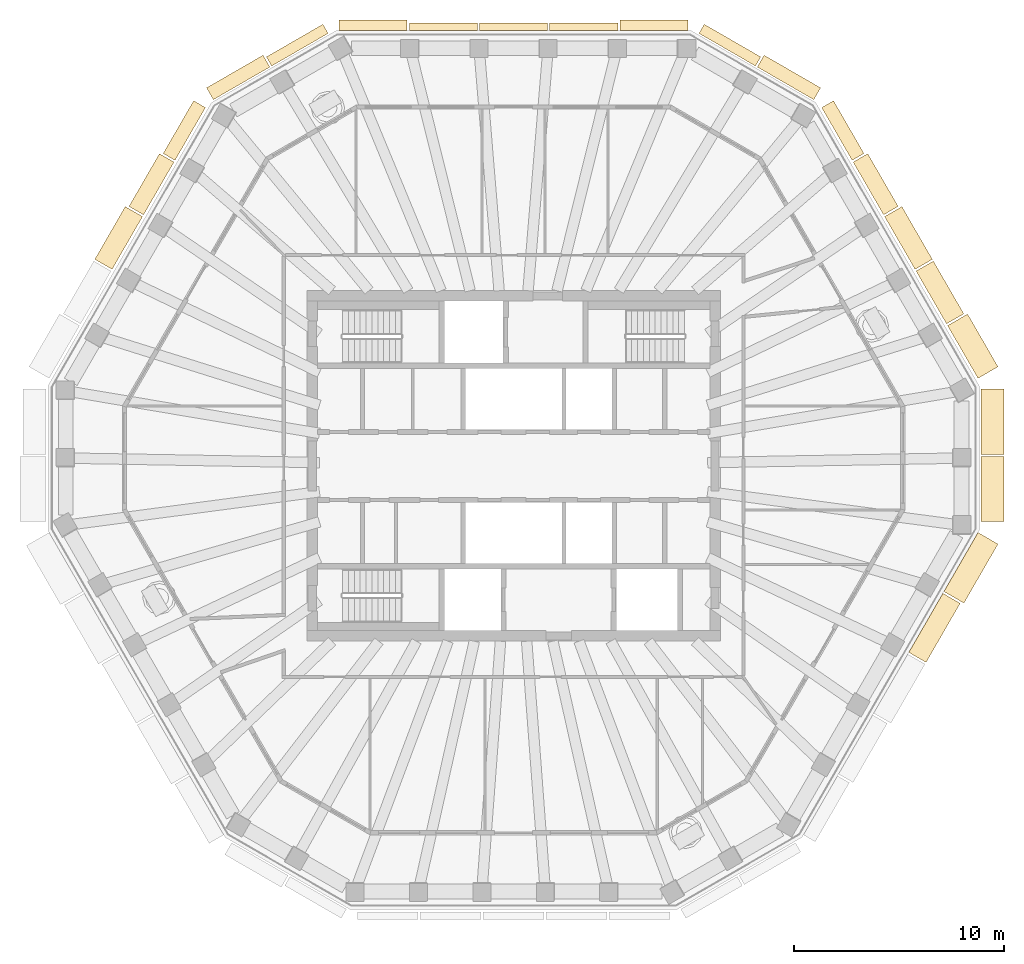
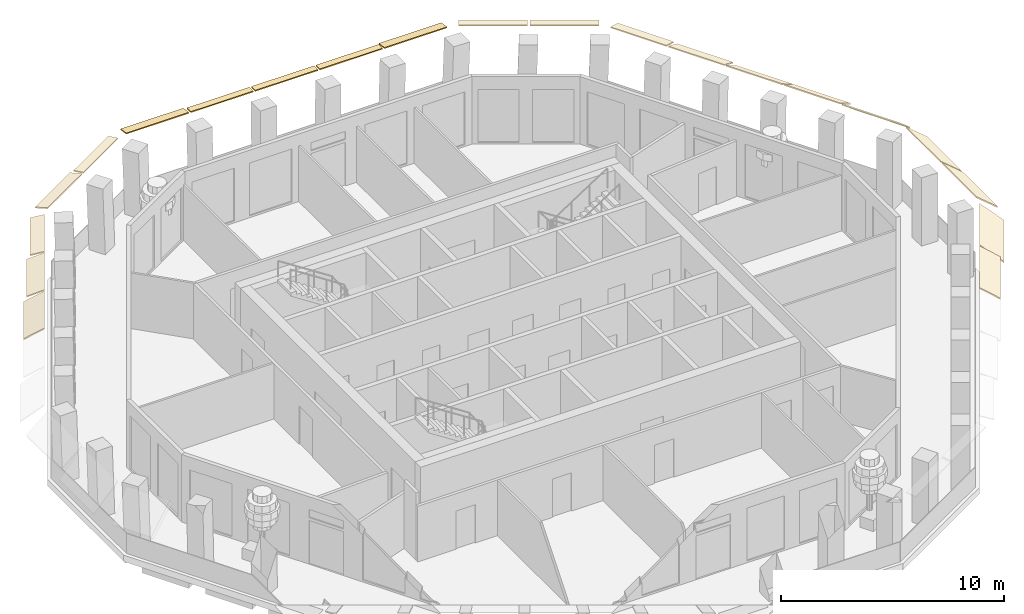
# One storey, part 9 of 11: 21 coverings.
"""IFC4 building model written with IfcOpenShell, lengths in metres."""

import ifcopenshell
import ifcopenshell.guid

model = None  # the IFC model being written
_history = None  # IfcOwnerHistory: only IFC2X3 demands one
_inside = {}  # id of a spatial element -> (the spatial element, [elements in it])
_under = {}  # id of a project, library or spatial element -> (it, [spatial elements below it])
_declared = {}  # id of a project -> (the project, [libraries it declares])
_typed = {}  # id of a type object -> (the type object, [elements of that type])
_made_of = {}  # id of a material, layer set ... -> (it, [elements and type objects made of it])


def new_model(schema):
    """Start an empty IFC model of exactly this schema.

    Asked for "IFC4X3", IfcOpenShell would pick the latest addendum, in which some entities
    have other attributes; the version numbers below select the first issue.
    IFC2X3 requires an IfcOwnerHistory on every rooted entity: one is made here for all.
    """
    global model, _history
    if schema == "IFC4X3":
        model = ifcopenshell.file(schema_version=(4, 3, 0, 0))
    else:
        model = ifcopenshell.file(schema=schema)
    _inside.clear()
    _under.clear()
    _declared.clear()
    _typed.clear()
    _made_of.clear()
    _history = None
    if model.schema == "IFC2X3":
        org = make("IfcOrganization", Name="unknown")
        user = make(
            "IfcPersonAndOrganization",
            ThePerson=make("IfcPerson", FamilyName="unknown"),
            TheOrganization=org,
        )
        app = make(
            "IfcApplication",
            ApplicationDeveloper=org,
            Version="unknown",
            ApplicationFullName="unknown",
            ApplicationIdentifier="unknown",
        )
        _history = make(
            "IfcOwnerHistory",
            OwningUser=user,
            OwningApplication=app,
            ChangeAction="ADDED",
            CreationDate=0,
        )
    return model


def make(cls, **values):
    """One entity of the class cls with the attributes given. An attribute that is None is left unset."""
    return model.create_entity(
        cls, **{name: value for name, value in values.items() if value is not None}
    )


def rooted(cls, **values):
    """An entity with a GlobalId (a new one), such as an element, a storey or a relation."""
    return make(cls, GlobalId=ifcopenshell.guid.new(), OwnerHistory=_history, **values)


def si_unit(unit_type, name, prefix=None):
    """IfcSIUnit, for example si_unit("LENGTHUNIT", "METRE", prefix="MILLI")."""
    return make("IfcSIUnit", UnitType=unit_type, Prefix=prefix, Name=name)


def assignment(units):
    """IfcUnitAssignment: the units of a project."""
    return None if units is None else make("IfcUnitAssignment", Units=units)


def point(xyz):
    """IfcCartesianPoint."""
    return None if xyz is None else make("IfcCartesianPoint", Coordinates=xyz)


def direction(xyz):
    """IfcDirection."""
    return None if xyz is None else make("IfcDirection", DirectionRatios=xyz)


def frame(location, z_axis=None, x_axis=None):
    """IfcAxis2Placement3D, a coordinate frame: its origin and axes. An axis left out is left unset."""
    return make(
        "IfcAxis2Placement3D",
        Location=point(location),
        Axis=direction(z_axis),
        RefDirection=direction(x_axis),
    )


def origin():
    """The frame at (0, 0, 0) with its axes left unset."""
    return frame((0.0, 0.0, 0.0))


def place(relative_to, where):
    """IfcLocalPlacement: puts the frame where relative to a parent placement (None: the world)."""
    return make(
        "IfcLocalPlacement", PlacementRelTo=relative_to, RelativePlacement=where
    )


def context(
    kind, dimensions, precision=None, world=None, true_north=None, identifier=None
):
    """IfcGeometricRepresentationContext, for example the 3D "Model" context."""
    return make(
        "IfcGeometricRepresentationContext",
        ContextIdentifier=identifier,
        ContextType=kind,
        CoordinateSpaceDimension=dimensions,
        Precision=precision,
        WorldCoordinateSystem=world,
        TrueNorth=true_north,
    )


def subcontext(parent, identifier, kind, view, scale=None):
    """IfcGeometricRepresentationSubContext, for example "Body" below "Model"."""
    return make(
        "IfcGeometricRepresentationSubContext",
        ContextIdentifier=identifier,
        ContextType=kind,
        ParentContext=parent,
        TargetScale=scale,
        TargetView=view,
    )


def project(units=None, contexts=None):
    """IfcProject with its units and contexts."""
    return rooted(
        "IfcProject",
        Name="project",
        RepresentationContexts=contexts,
        UnitsInContext=assignment(units),
    )


def spatial(cls, under=None, at=None, **own):
    """A site, building, storey or space (cls), placed at a placement, below another one or the project."""
    s = rooted(cls, ObjectPlacement=at, **own)
    if under is not None:
        _under.setdefault(under.id(), (under, []))[1].append(s)
    return s


def polyline(points):
    """IfcPolyline through the points."""
    return make("IfcPolyline", Points=[point(p) for p in points])


def outline(outer, holes=None, kind="AREA"):
    """IfcArbitraryClosedProfileDef: a profile drawn as a closed curve; with holes, ...WithVoids."""
    if holes is None:
        return make("IfcArbitraryClosedProfileDef", ProfileType=kind, OuterCurve=outer)
    return make(
        "IfcArbitraryProfileDefWithVoids",
        ProfileType=kind,
        OuterCurve=outer,
        InnerCurves=holes,
    )


def extrude(swept, where, along, depth):
    """IfcExtrudedAreaSolid: the profile swept, set in the frame where, extruded along a direction by depth."""
    return make(
        "IfcExtrudedAreaSolid",
        SweptArea=swept,
        Position=where,
        ExtrudedDirection=direction(along),
        Depth=depth,
    )


def shape(context_of_items, identifier, shape_type, items):
    """IfcShapeRepresentation: the items that make up one representation, for example the "Body"."""
    return make(
        "IfcShapeRepresentation",
        ContextOfItems=context_of_items,
        RepresentationIdentifier=identifier,
        RepresentationType=shape_type,
        Items=items,
    )


def material(Name=None, Category=None):
    """IfcMaterial."""
    return make("IfcMaterial", Name=Name, Category=Category)


def layer(
    of_material, thickness, ventilated=None, Name=None, Category=None, Priority=None
):
    """IfcMaterialLayer: one layer of a wall or slab, of a material (None: an air gap)."""
    return make(
        "IfcMaterialLayer",
        Material=of_material,
        LayerThickness=thickness,
        IsVentilated=ventilated,
        Name=Name,
        Category=Category,
        Priority=Priority,
    )


def layer_set(layers, Name=None):
    """IfcMaterialLayerSet."""
    return make("IfcMaterialLayerSet", MaterialLayers=layers, LayerSetName=Name)


def made_of(thing, what):
    """Note that an element or type object is made of a material, layer set ...; save() writes the relation."""
    if what is not None:
        _made_of.setdefault(what.id(), (what, []))[1].append(thing)
    return thing


def type_object(cls, material=None, **own):
    """A type object (cls), such as IfcWallType, which elements share."""
    return made_of(rooted(cls, **own), material)


def element(
    cls,
    number,
    at=None,
    inside=None,
    cuts=None,
    type_object=None,
    material=None,
    context=None,
    identifier="Body",
    shape_type=None,
    held_by="IfcProductDefinitionShape",
    body=None,
    shapes=None,
    **own,
):
    """One element of the class cls, such as IfcWall. Its Tag is "e" and its number.

    at: its placement. inside: the storey or other place that contains it. cuts: it is an
    opening in that element (IfcRelVoidsElement). A single representation is given by context,
    identifier, shape_type and body (its items); several are given by shapes. held_by: the class
    of the entity that holds the representations. save() writes the other relations.
    """
    e = rooted(cls, Tag="e%d" % number, ObjectPlacement=at, **own)
    if body is not None:
        shapes = [shape(context, identifier, shape_type, body)]
    if shapes is not None:
        e.Representation = make(held_by, Representations=shapes)
    if inside is not None:
        _inside.setdefault(inside.id(), (inside, []))[1].append(e)
    if cuts is not None:
        rooted(
            "IfcRelVoidsElement", RelatingBuildingElement=cuts, RelatedOpeningElement=e
        )
    if type_object is not None:
        _typed.setdefault(type_object.id(), (type_object, []))[1].append(e)
    return made_of(e, material)


def aggregate(whole, parts):
    """IfcRelAggregates: a whole, such as a stair, and the parts it consists of."""
    return rooted("IfcRelAggregates", RelatingObject=whole, RelatedObjects=parts)


def save(model, path):
    """Write the relations noted so far, then the file.

    IfcRelAggregates (storeys below a building ...), IfcRelContainedInSpatialStructure (elements
    in a storey), IfcRelDefinesByType, IfcRelAssociatesMaterial and IfcRelDeclares: one each for
    every whole, place, type object, material and project.
    """
    for whole, parts in _under.values():
        aggregate(whole, parts)
    for where, things in _inside.values():
        rooted(
            "IfcRelContainedInSpatialStructure",
            RelatedElements=things,
            RelatingStructure=where,
        )
    for kind, things in _typed.values():
        rooted("IfcRelDefinesByType", RelatedObjects=things, RelatingType=kind)
    for what, things in _made_of.values():
        rooted("IfcRelAssociatesMaterial", RelatedObjects=things, RelatingMaterial=what)
    for by, libraries in _declared.values():
        rooted("IfcRelDeclares", RelatingContext=by, RelatedDefinitions=libraries)
    model.write(path)


model = new_model("IFC4")

# Units and contexts
model_context = context("Model", 3, precision=1e-05, world=origin(), true_north=direction((0.0, 1.0)))
body_context = subcontext(model_context, "Body", "Model", "MODEL_VIEW")
ifc_project = project(units=[si_unit("LENGTHUNIT", "METRE"), si_unit("AREAUNIT", "SQUARE_METRE"), si_unit("VOLUMEUNIT", "CUBIC_METRE"), si_unit("PLANEANGLEUNIT", "RADIAN"), si_unit("MASSUNIT", "GRAM", prefix="KILO")], contexts=[model_context])

# Site, building, storey
site_placement = place(None, origin())
site = spatial("IfcSite", under=ifc_project, at=site_placement, CompositionType="ELEMENT")
building_placement = place(site_placement, origin())
building = spatial("IfcBuilding", under=site, at=building_placement, Name="Frailejon Research Tower", CompositionType="ELEMENT")
storey_placement = place(building_placement, frame((0.0, 0.0, 320.60009765625)))
storey = spatial("IfcBuildingStorey", under=building, at=storey_placement, Name="L71", CompositionType="ELEMENT", Elevation=320.60009765625)

# Coverings
ifc_material_1 = material(Name="Precast concrete C50/60", Category="concrete")
ifc_layer_1 = layer(ifc_material_1, 0.06005859375)
ifc_layer_set_1 = layer_set([ifc_layer_1], Name="Brim blade depth 1100")
covering_type_1 = type_object("IfcCoveringType", Name="Brim blade depth 1100", PredefinedType="CLADDING", material=ifc_layer_set_1)
covering_1_placement = place(storey_placement, frame((22.267822265625, 0.452880859375, 3.849853515625), z_axis=(0.0, -1.0, 0.0), x_axis=(1.0, 0.0, 0.0)))
element("IfcCovering", 1, at=covering_1_placement, inside=storey, type_object=covering_type_1, Name="Brim blade L71", PredefinedType="CLADDING", context=body_context, shape_type="SweptSolid", body=[
    extrude(outline(polyline([(0.0, -0.078369140625), (1.10009765625, -1.001220703125), (1.10009765625, -0.923095703125), (0.0, 0.0), (0.0, -0.078369140625)])), origin(), (0.0, 0.0, 1.0), 3.10595703125),
])
covering_2_placement = place(storey_placement, frame((22.267822265625, 3.658935546875, 3.849853515625), z_axis=(0.0, -1.0, 0.0), x_axis=(1.0, 0.0, 0.0)))
element("IfcCovering", 2, at=covering_2_placement, inside=storey, type_object=covering_type_1, Name="Brim blade L71", PredefinedType="CLADDING", context=body_context, shape_type="SweptSolid", body=[
    extrude(outline(polyline([(0.0, -0.078369140625), (1.10009765625, -1.001220703125), (1.10009765625, -0.923095703125), (0.0, 0.0), (0.0, -0.078369140625)])), origin(), (0.0, 0.0, 1.0), 3.106201171875),
])
covering_3_placement = place(storey_placement, frame((20.679443359375, 6.6875, 3.849853515625), z_axis=(0.500005339875, -0.866022320784, 0.0), x_axis=(0.866022320784, 0.500005339875, 0.0)))
element("IfcCovering", 3, at=covering_3_placement, inside=storey, type_object=covering_type_1, Name="Brim blade L71", PredefinedType="CLADDING", context=body_context, shape_type="SweptSolid", body=[
    extrude(outline(polyline([(0.0, -0.078369140625), (1.10009765625, -1.001220703125), (1.10009765625, -0.923095703125), (0.0, 0.0), (0.0, -0.078369140625)])), origin(), (0.0, 0.0, 1.0), 2.898681640625),
])
covering_4_placement = place(storey_placement, frame((22.12890625, -3.17138671875, 3.849853515625), z_axis=(-0.499985384824, -0.866033841696, 0.0), x_axis=(0.866033841696, -0.499985384824, 0.0)))
element("IfcCovering", 4, at=covering_4_placement, inside=storey, type_object=covering_type_1, Name="Brim blade L71", PredefinedType="CLADDING", context=body_context, shape_type="SweptSolid", body=[
    extrude(outline(polyline([(0.0, -0.078369140625), (1.10009765625, -1.001220703125), (1.10009765625, -0.923095703125), (0.0, 0.0), (0.0, -0.078369140625)])), origin(), (0.0, 0.0, 1.0), 3.2470703125),
])
ifc_material_2 = material(Name="Precast concrete C50/60", Category="concrete")
ifc_layer_2 = layer(ifc_material_2, 0.06005859375)
ifc_layer_set_2 = layer_set([ifc_layer_2], Name="Brim blade depth 350")
covering_type_2 = type_object("IfcCoveringType", Name="Brim blade depth 350", PredefinedType="CLADDING", material=ifc_layer_set_2)
covering_5_placement = place(storey_placement, frame((1.7236328125, 20.75, 3.849853515625), z_axis=(1.0, 0.0, 0.0), x_axis=(0.0, 1.0, 0.0)))
element("IfcCovering", 5, at=covering_5_placement, inside=storey, type_object=covering_type_2, Name="Brim blade L71", PredefinedType="CLADDING", context=body_context, shape_type="SweptSolid", body=[
    extrude(outline(polyline([(0.0, -0.06005859375), (0.35009765625, -0.06005859375), (0.35009765625, 0.0), (0.0, 0.0), (0.0, -0.06005859375)])), origin(), (0.0, 0.0, 1.0), 3.2470703125),
])
covering_6_placement = place(storey_placement, frame((-1.62353515625, 20.75, 3.849853515625), z_axis=(1.0, 0.0, 0.0), x_axis=(0.0, 1.0, 0.0)))
element("IfcCovering", 6, at=covering_6_placement, inside=storey, type_object=covering_type_2, Name="Brim blade L71", PredefinedType="CLADDING", context=body_context, shape_type="SweptSolid", body=[
    extrude(outline(polyline([(0.0, -0.06005859375), (0.35009765625, -0.06005859375), (0.35009765625, 0.0), (0.0, 0.0), (0.0, -0.06005859375)])), origin(), (0.0, 0.0, 1.0), 3.247314453125),
])
covering_7_placement = place(storey_placement, frame((-4.970703125, 20.75, 3.849853515625), z_axis=(1.0, 0.0, 0.0), x_axis=(0.0, 1.0, 0.0)))
element("IfcCovering", 7, at=covering_7_placement, inside=storey, type_object=covering_type_2, Name="Brim blade L71", PredefinedType="CLADDING", context=body_context, shape_type="SweptSolid", body=[
    extrude(outline(polyline([(0.0, -0.06005859375), (0.35009765625, -0.06005859375), (0.35009765625, 0.0), (0.0, 0.0), (0.0, -0.06005859375)])), origin(), (0.0, 0.0, 1.0), 3.2470703125),
])
ifc_material_3 = material(Name="Precast concrete C50/60", Category="concrete")
ifc_layer_3 = layer(ifc_material_3, 0.06005859375)
ifc_layer_set_3 = layer_set([ifc_layer_3], Name="Brim blade depth 500")
covering_type_3 = type_object("IfcCoveringType", Name="Brim blade depth 500", PredefinedType="CLADDING", material=ifc_layer_set_3)
covering_8_placement = place(storey_placement, frame((8.836181640625, 20.611083984375, 3.849853515625), z_axis=(0.866034959906, -0.499983447946, 0.0), x_axis=(0.499983447946, 0.866034959906, 0.0)))
element("IfcCovering", 8, at=covering_8_placement, inside=storey, type_object=covering_type_3, Name="Brim blade L71", PredefinedType="CLADDING", context=body_context, shape_type="SweptSolid", body=[
    extrude(outline(polyline([(0.0, -0.060546875), (0.5, -0.130859375), (0.5, -0.0703125), (0.0, 0.0), (0.0, -0.060546875)])), origin(), (0.0, 0.0, 1.0), 3.106201171875),
])
for number, where, z_axis, x_axis, name in (
    (9, (5.07080078125, 20.75, 3.849853515625), (1.0, 0.0, 0.0), (0.0, 1.0, 0.0), "Brim blade L71"),
    (10, (-8.31787109375, 20.75, 3.849853515625), (1.0, 0.0, 0.0), (0.0, 1.0, 0.0), "Brim blade L71"),
):
    element("IfcCovering", number, at=place(storey_placement, frame(where, z_axis=z_axis, x_axis=x_axis)), inside=storey, type_object=covering_type_3, Name=name, PredefinedType="CLADDING", context=body_context, shape_type="SweptSolid", body=[
        extrude(outline(polyline([(0.0, -0.060546875), (0.5, -0.130859375), (0.5, -0.0703125), (0.0, 0.0), (0.0, -0.060546875)])), origin(), (0.0, 0.0, 1.0), 3.2470703125),
    ])
covering_9_placement = place(storey_placement, frame((-11.526123046875, 19.05810546875, 3.849853515625), z_axis=(0.866034959906, 0.499983447946, 0.0), x_axis=(-0.499983447946, 0.866034959906, 0.0)))
element("IfcCovering", 11, at=covering_9_placement, inside=storey, type_object=covering_type_3, Name="Brim blade L71", PredefinedType="CLADDING", context=body_context, shape_type="SweptSolid", body=[
    extrude(outline(polyline([(0.0, -0.060546875), (0.5, -0.130859375), (0.5, -0.0703125), (0.0, 0.0), (0.0, -0.060546875)])), origin(), (0.0, 0.0, 1.0), 3.106201171875),
])
ifc_material_4 = material(Name="Precast concrete C50/60", Category="concrete")
ifc_layer_4 = layer(ifc_material_4, 0.06005859375)
ifc_layer_set_4 = layer_set([ifc_layer_4], Name="Brim blade depth 650")
covering_type_4 = type_object("IfcCoveringType", Name="Brim blade depth 650", PredefinedType="CLADDING", material=ifc_layer_set_4)
covering_10_placement = place(storey_placement, frame((14.681884765625, 17.07568359375, 3.849853515625), z_axis=(0.500005339875, -0.866022320784, 0.0), x_axis=(0.866022320784, 0.500005339875, 0.0)))
element("IfcCovering", 12, at=covering_10_placement, inside=storey, type_object=covering_type_4, Name="Brim blade L71", PredefinedType="CLADDING", context=body_context, shape_type="SweptSolid", body=[
    extrude(outline(polyline([(0.0, -0.0625), (0.64990234375, -0.248779296875), (0.64990234375, -0.186279296875), (0.0, 0.0), (0.0, -0.0625)])), origin(), (0.0, 0.0, 1.0), 2.898681640625),
])
for number, where, z_axis, x_axis, name in (
    (13, (11.61279296875, 19.008056640625, 3.849853515625), (0.86601365609, -0.500020347052, 0.0), (0.500020347052, 0.86601365609, 0.0), "Brim blade L71"),
    (14, (-14.302490234375, 17.455078125, 3.849853515625), (0.86601365609, 0.500020347052, 0.0), (-0.500020347052, 0.86601365609, 0.0), "Brim blade L71"),
):
    element("IfcCovering", number, at=place(storey_placement, frame(where, z_axis=z_axis, x_axis=x_axis)), inside=storey, type_object=covering_type_4, Name=name, PredefinedType="CLADDING", context=body_context, shape_type="SweptSolid", body=[
        extrude(outline(polyline([(0.0, -0.0625), (0.64990234375, -0.248779296875), (0.64990234375, -0.186279296875), (0.0, 0.0), (0.0, -0.0625)])), origin(), (0.0, 0.0, 1.0), 3.106201171875),
    ])
covering_11_placement = place(storey_placement, frame((-16.13134765625, 14.565185546875, 3.849853515625), z_axis=(0.500005339875, 0.866022320784, 0.0), x_axis=(-0.866022320784, 0.500005339875, 0.0)))
element("IfcCovering", 15, at=covering_11_placement, inside=storey, type_object=covering_type_4, Name="Brim blade L71", PredefinedType="CLADDING", context=body_context, shape_type="SweptSolid", body=[
    extrude(outline(polyline([(0.0, -0.0625), (0.64990234375, -0.248779296875), (0.64990234375, -0.186279296875), (0.0, 0.0), (0.0, -0.0625)])), origin(), (0.0, 0.0, 1.0), 2.898681640625),
])
ifc_material_5 = material(Name="Precast concrete C50/60", Category="concrete")
ifc_layer_5 = layer(ifc_material_5, 0.06005859375)
ifc_layer_set_5 = layer_set([ifc_layer_5], Name="Brim blade depth 800")
covering_type_5 = type_object("IfcCoveringType", Name="Brim blade depth 800", PredefinedType="CLADDING", material=ifc_layer_set_5)
for number, where, z_axis, x_axis, name in (
    (16, (16.181396484375, 14.478515625, 3.849853515625), (0.500005339875, -0.866022320784, 0.0), (0.866022320784, 0.500005339875, 0.0), "Brim blade L71"),
    (17, (-17.630859375, 11.96826171875, 3.849853515625), (0.500005339875, 0.866022320784, 0.0), (-0.866022320784, 0.500005339875, 0.0), "Brim blade L71"),
):
    element("IfcCovering", number, at=place(storey_placement, frame(where, z_axis=z_axis, x_axis=x_axis)), inside=storey, type_object=covering_type_5, Name=name, PredefinedType="CLADDING", context=body_context, shape_type="SweptSolid", body=[
        extrude(outline(polyline([(0.0, -0.065673828125), (0.800048828125, -0.421875), (0.800048828125, -0.356201171875), (0.0, 0.0), (0.0, -0.065673828125)])), origin(), (0.0, 0.0, 1.0), 2.898681640625),
    ])
ifc_material_6 = material(Name="Precast concrete C50/60", Category="concrete")
ifc_layer_6 = layer(ifc_material_6, 0.06005859375)
ifc_layer_set_6 = layer_set([ifc_layer_6], Name="Brim blade depth 950")
covering_type_6 = type_object("IfcCoveringType", Name="Brim blade depth 950", PredefinedType="CLADDING", material=ifc_layer_set_6)
for number, where, z_axis, x_axis, name in (
    (18, (19.18017578125, 9.28466796875, 3.849853515625), (0.499980329235, -0.866036760408, 0.0), (0.866036760408, 0.499980329235, 0.0), "Brim blade L71"),
    (19, (17.680908203125, 11.881591796875, 3.849853515625), (0.500005339875, -0.866022320784, 0.0), (0.866022320784, 0.500005339875, 0.0), "Brim blade L71"),
    (20, (-19.130126953125, 9.37109375, 3.849853515625), (0.500005339875, 0.866022320784, 0.0), (-0.866022320784, 0.500005339875, 0.0), "Brim blade L71"),
):
    element("IfcCovering", number, at=place(storey_placement, frame(where, z_axis=z_axis, x_axis=x_axis)), inside=storey, type_object=covering_type_6, Name=name, PredefinedType="CLADDING", context=body_context, shape_type="SweptSolid", body=[
        extrude(outline(polyline([(0.0, -0.07080078125), (0.949951171875, -0.664306640625), (0.949951171875, -0.593505859375), (0.0, 0.0), (0.0, -0.07080078125)])), origin(), (0.0, 0.0, 1.0), 2.898681640625),
    ])
covering_12_placement = place(storey_placement, frame((20.455322265625, -6.0703125, 3.849853515625), z_axis=(-0.500007792011, -0.866020905018, 0.0), x_axis=(0.866020905018, -0.500007792011, 0.0)))
element("IfcCovering", 21, at=covering_12_placement, inside=storey, type_object=covering_type_6, Name="Brim blade L71", PredefinedType="CLADDING", context=body_context, shape_type="SweptSolid", body=[
    extrude(outline(polyline([(0.0, -0.07080078125), (0.949951171875, -0.664306640625), (0.949951171875, -0.593505859375), (0.0, 0.0), (0.0, -0.07080078125)])), origin(), (0.0, 0.0, 1.0), 3.2470703125),
])

save(model, "model.ifc")
